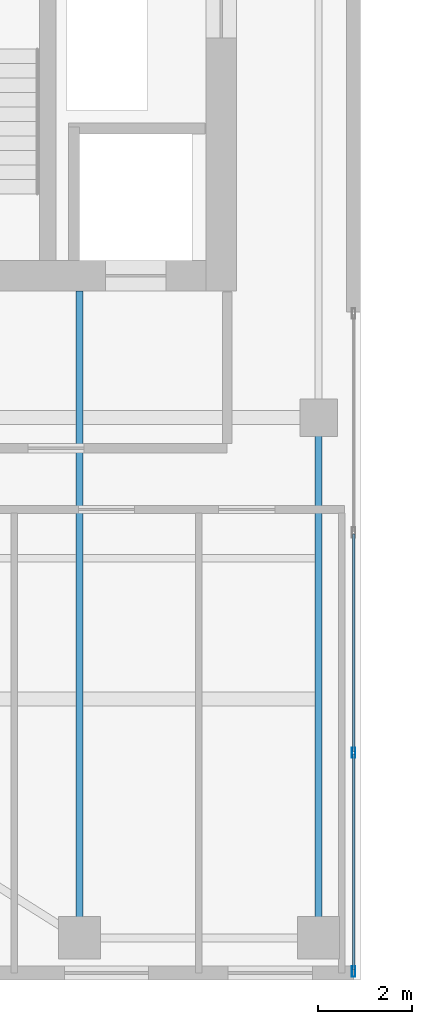
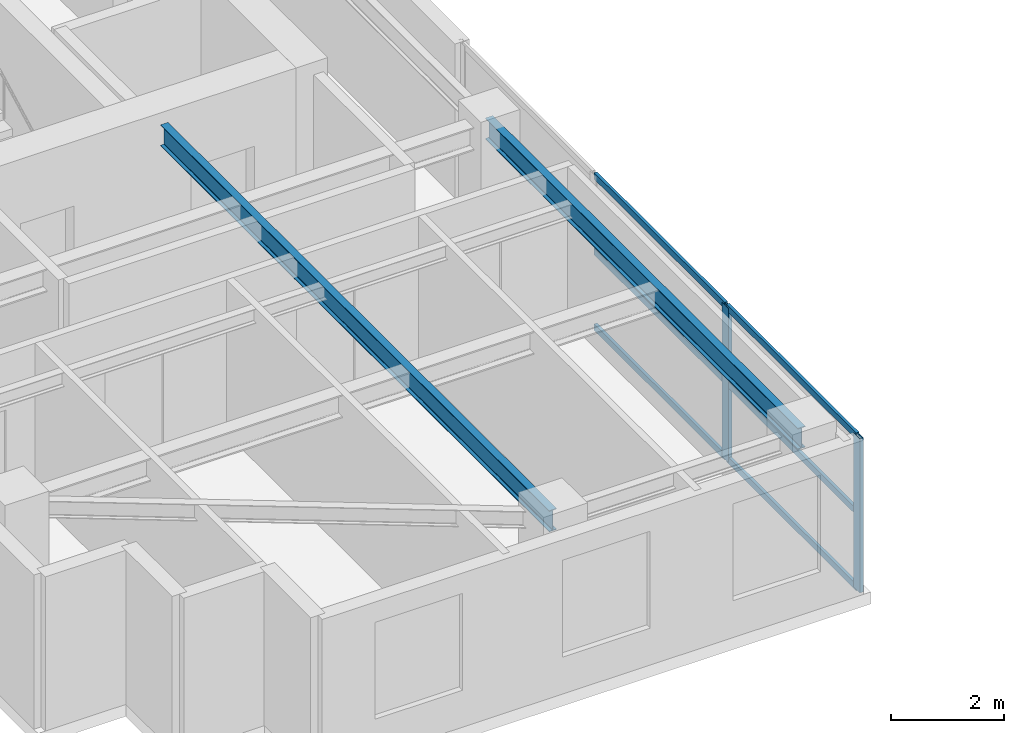
# One storey, part 2 of 20: 8 members, 2 beams, 1 element without a shape of its own.
"""IFC4 building model written with IfcOpenShell, lengths in metres."""

import ifcopenshell
import ifcopenshell.guid

model = None  # the IFC model being written
_history = None  # IfcOwnerHistory: only IFC2X3 demands one
_inside = {}  # id of a spatial element -> (the spatial element, [elements in it])
_under = {}  # id of a project, library or spatial element -> (it, [spatial elements below it])
_declared = {}  # id of a project -> (the project, [libraries it declares])
_typed = {}  # id of a type object -> (the type object, [elements of that type])
_made_of = {}  # id of a material, layer set ... -> (it, [elements and type objects made of it])


def new_model(schema):
    """Start an empty IFC model of exactly this schema.

    Asked for "IFC4X3", IfcOpenShell would pick the latest addendum, in which some entities
    have other attributes; the version numbers below select the first issue.
    IFC2X3 requires an IfcOwnerHistory on every rooted entity: one is made here for all.
    """
    global model, _history
    if schema == "IFC4X3":
        model = ifcopenshell.file(schema_version=(4, 3, 0, 0))
    else:
        model = ifcopenshell.file(schema=schema)
    _inside.clear()
    _under.clear()
    _declared.clear()
    _typed.clear()
    _made_of.clear()
    _history = None
    if model.schema == "IFC2X3":
        org = make("IfcOrganization", Name="unknown")
        user = make(
            "IfcPersonAndOrganization",
            ThePerson=make("IfcPerson", FamilyName="unknown"),
            TheOrganization=org,
        )
        app = make(
            "IfcApplication",
            ApplicationDeveloper=org,
            Version="unknown",
            ApplicationFullName="unknown",
            ApplicationIdentifier="unknown",
        )
        _history = make(
            "IfcOwnerHistory",
            OwningUser=user,
            OwningApplication=app,
            ChangeAction="ADDED",
            CreationDate=0,
        )
    return model


def make(cls, **values):
    """One entity of the class cls with the attributes given. An attribute that is None is left unset."""
    return model.create_entity(
        cls, **{name: value for name, value in values.items() if value is not None}
    )


def rooted(cls, **values):
    """An entity with a GlobalId (a new one), such as an element, a storey or a relation."""
    return make(cls, GlobalId=ifcopenshell.guid.new(), OwnerHistory=_history, **values)


def si_unit(unit_type, name, prefix=None):
    """IfcSIUnit, for example si_unit("LENGTHUNIT", "METRE", prefix="MILLI")."""
    return make("IfcSIUnit", UnitType=unit_type, Prefix=prefix, Name=name)


def assignment(units):
    """IfcUnitAssignment: the units of a project."""
    return None if units is None else make("IfcUnitAssignment", Units=units)


def point(xyz):
    """IfcCartesianPoint."""
    return None if xyz is None else make("IfcCartesianPoint", Coordinates=xyz)


def direction(xyz):
    """IfcDirection."""
    return None if xyz is None else make("IfcDirection", DirectionRatios=xyz)


def frame(location, z_axis=None, x_axis=None):
    """IfcAxis2Placement3D, a coordinate frame: its origin and axes. An axis left out is left unset."""
    return make(
        "IfcAxis2Placement3D",
        Location=point(location),
        Axis=direction(z_axis),
        RefDirection=direction(x_axis),
    )


def frame_2d(location, x_axis=None):
    """IfcAxis2Placement2D, a coordinate frame in the plane: its origin and x axis."""
    return make(
        "IfcAxis2Placement2D", Location=point(location), RefDirection=direction(x_axis)
    )


def origin():
    """The frame at (0, 0, 0) with its axes left unset."""
    return frame((0.0, 0.0, 0.0))


def origin_2d():
    """The frame at (0, 0) in the plane with its x axis left unset."""
    return frame_2d((0.0, 0.0))


def place(relative_to, where):
    """IfcLocalPlacement: puts the frame where relative to a parent placement (None: the world)."""
    return make(
        "IfcLocalPlacement", PlacementRelTo=relative_to, RelativePlacement=where
    )


def context(
    kind, dimensions, precision=None, world=None, true_north=None, identifier=None
):
    """IfcGeometricRepresentationContext, for example the 3D "Model" context."""
    return make(
        "IfcGeometricRepresentationContext",
        ContextIdentifier=identifier,
        ContextType=kind,
        CoordinateSpaceDimension=dimensions,
        Precision=precision,
        WorldCoordinateSystem=world,
        TrueNorth=true_north,
    )


def subcontext(parent, identifier, kind, view, scale=None):
    """IfcGeometricRepresentationSubContext, for example "Body" below "Model"."""
    return make(
        "IfcGeometricRepresentationSubContext",
        ContextIdentifier=identifier,
        ContextType=kind,
        ParentContext=parent,
        TargetScale=scale,
        TargetView=view,
    )


def project(units=None, contexts=None):
    """IfcProject with its units and contexts."""
    return rooted(
        "IfcProject",
        Name="project",
        RepresentationContexts=contexts,
        UnitsInContext=assignment(units),
    )


def spatial(cls, under=None, at=None, **own):
    """A site, building, storey or space (cls), placed at a placement, below another one or the project."""
    s = rooted(cls, ObjectPlacement=at, **own)
    if under is not None:
        _under.setdefault(under.id(), (under, []))[1].append(s)
    return s


def profile(cls, at=None, kind="AREA", **sizes):
    """A parametric profile (cls). Its sizes go by their IFC names, for example OverallWidth=200.0."""
    return make(cls, ProfileType=kind, Position=at, **sizes)


def hollow_rectangle(**sizes):
    """IfcRectangleHollowProfileDef."""
    return profile("IfcRectangleHollowProfileDef", **sizes)


def i_section(**sizes):
    """IfcIShapeProfileDef."""
    return profile("IfcIShapeProfileDef", **sizes)


def extrude(swept, where, along, depth):
    """IfcExtrudedAreaSolid: the profile swept, set in the frame where, extruded along a direction by depth."""
    return make(
        "IfcExtrudedAreaSolid",
        SweptArea=swept,
        Position=where,
        ExtrudedDirection=direction(along),
        Depth=depth,
    )


def shape(context_of_items, identifier, shape_type, items):
    """IfcShapeRepresentation: the items that make up one representation, for example the "Body"."""
    return make(
        "IfcShapeRepresentation",
        ContextOfItems=context_of_items,
        RepresentationIdentifier=identifier,
        RepresentationType=shape_type,
        Items=items,
    )


def source(mapping_origin, context_of_items, identifier, shape_type, items):
    """IfcRepresentationMap: a shape defined once, which mapped items show again and again."""
    return make(
        "IfcRepresentationMap",
        MappingOrigin=mapping_origin,
        MappedRepresentation=shape(context_of_items, identifier, shape_type, items),
    )


def transform(
    local_origin,
    x_axis=None,
    y_axis=None,
    z_axis=None,
    scale=None,
    scale2=None,
    scale3=None,
    uniform=True,
):
    """IfcCartesianTransformationOperator3D, or its non-uniform kind. x_axis, y_axis, z_axis: its Axis1, 2, 3."""
    if uniform:
        return make(
            "IfcCartesianTransformationOperator3D",
            Axis1=direction(x_axis),
            Axis2=direction(y_axis),
            LocalOrigin=point(local_origin),
            Scale=scale,
            Axis3=direction(z_axis),
        )
    return make(
        "IfcCartesianTransformationOperator3DnonUniform",
        Axis1=direction(x_axis),
        Axis2=direction(y_axis),
        LocalOrigin=point(local_origin),
        Scale=scale,
        Axis3=direction(z_axis),
        Scale2=scale2,
        Scale3=scale3,
    )


def mapped(mapping_source, mapping_target):
    """IfcMappedItem: shows the shape of a source again, moved by a transform."""
    return make(
        "IfcMappedItem", MappingSource=mapping_source, MappingTarget=mapping_target
    )


def material(Name=None, Category=None):
    """IfcMaterial."""
    return make("IfcMaterial", Name=Name, Category=Category)


def layer(
    of_material, thickness, ventilated=None, Name=None, Category=None, Priority=None
):
    """IfcMaterialLayer: one layer of a wall or slab, of a material (None: an air gap)."""
    return make(
        "IfcMaterialLayer",
        Material=of_material,
        LayerThickness=thickness,
        IsVentilated=ventilated,
        Name=Name,
        Category=Category,
        Priority=Priority,
    )


def layer_set(layers, Name=None):
    """IfcMaterialLayerSet."""
    return make("IfcMaterialLayerSet", MaterialLayers=layers, LayerSetName=Name)


def material_profile(
    of_material, cross_section, Name=None, Category=None, Priority=None
):
    """IfcMaterialProfile: a cross section and its material."""
    return make(
        "IfcMaterialProfile",
        Name=Name,
        Material=of_material,
        Profile=cross_section,
        Priority=Priority,
        Category=Category,
    )


def profile_set(profiles, Name=None, composite=None):
    """IfcMaterialProfileSet."""
    return make(
        "IfcMaterialProfileSet",
        Name=Name,
        MaterialProfiles=profiles,
        CompositeProfile=composite,
    )


def made_of(thing, what):
    """Note that an element or type object is made of a material, layer set ...; save() writes the relation."""
    if what is not None:
        _made_of.setdefault(what.id(), (what, []))[1].append(thing)
    return thing


def type_object(cls, material=None, **own):
    """A type object (cls), such as IfcWallType, which elements share."""
    return made_of(rooted(cls, **own), material)


def element(
    cls,
    number,
    at=None,
    inside=None,
    cuts=None,
    type_object=None,
    material=None,
    context=None,
    identifier="Body",
    shape_type=None,
    held_by="IfcProductDefinitionShape",
    body=None,
    shapes=None,
    **own,
):
    """One element of the class cls, such as IfcWall. Its Tag is "e" and its number.

    at: its placement. inside: the storey or other place that contains it. cuts: it is an
    opening in that element (IfcRelVoidsElement). A single representation is given by context,
    identifier, shape_type and body (its items); several are given by shapes. held_by: the class
    of the entity that holds the representations. save() writes the other relations.
    """
    e = rooted(cls, Tag="e%d" % number, ObjectPlacement=at, **own)
    if body is not None:
        shapes = [shape(context, identifier, shape_type, body)]
    if shapes is not None:
        e.Representation = make(held_by, Representations=shapes)
    if inside is not None:
        _inside.setdefault(inside.id(), (inside, []))[1].append(e)
    if cuts is not None:
        rooted(
            "IfcRelVoidsElement", RelatingBuildingElement=cuts, RelatedOpeningElement=e
        )
    if type_object is not None:
        _typed.setdefault(type_object.id(), (type_object, []))[1].append(e)
    return made_of(e, material)


def aggregate(whole, parts):
    """IfcRelAggregates: a whole, such as a stair, and the parts it consists of."""
    return rooted("IfcRelAggregates", RelatingObject=whole, RelatedObjects=parts)


def save(model, path):
    """Write the relations noted so far, then the file.

    IfcRelAggregates (storeys below a building ...), IfcRelContainedInSpatialStructure (elements
    in a storey), IfcRelDefinesByType, IfcRelAssociatesMaterial and IfcRelDeclares: one each for
    every whole, place, type object, material and project.
    """
    for whole, parts in _under.values():
        aggregate(whole, parts)
    for where, things in _inside.values():
        rooted(
            "IfcRelContainedInSpatialStructure",
            RelatedElements=things,
            RelatingStructure=where,
        )
    for kind, things in _typed.values():
        rooted("IfcRelDefinesByType", RelatedObjects=things, RelatingType=kind)
    for what, things in _made_of.values():
        rooted("IfcRelAssociatesMaterial", RelatedObjects=things, RelatingMaterial=what)
    for by, libraries in _declared.values():
        rooted("IfcRelDeclares", RelatingContext=by, RelatedDefinitions=libraries)
    model.write(path)


model = new_model("IFC4")

# Units and contexts
model_context = context("Model", 3, precision=1e-05, world=origin(), true_north=direction((0.0, 1.0)))
body_context = subcontext(model_context, "Body", "Model", "MODEL_VIEW")
ifc_project = project(units=[si_unit("LENGTHUNIT", "METRE"), si_unit("AREAUNIT", "SQUARE_METRE"), si_unit("VOLUMEUNIT", "CUBIC_METRE"), si_unit("PLANEANGLEUNIT", "RADIAN"), si_unit("MASSUNIT", "GRAM", prefix="KILO")], contexts=[model_context])

# Site, building, storey
site_placement = place(None, origin())
site = spatial("IfcSite", under=ifc_project, at=site_placement, CompositionType="ELEMENT")
building_placement = place(site_placement, origin())
building = spatial("IfcBuilding", under=site, at=building_placement, Name="Khoralis Quay Care Tower", CompositionType="ELEMENT")
storey_placement = place(building_placement, frame((0.0, 0.0, 198.89990234375)))
storey = spatial("IfcBuildingStorey", under=building, at=storey_placement, Name="L52", CompositionType="ELEMENT", Elevation=198.89990234375)

# Beams
ifc_material_1 = material(Name="Steel S355", Category="steel")
ifc_material_profile_1 = material_profile(ifc_material_1, i_section(OverallWidth=0.154052734375, OverallDepth=0.458984375, WebThickness=0.009033203125, FlangeThickness=0.015380859375, FilletRadius=0.014892578125, at=origin_2d()), Name="Steel S355")
ifc_profile_set_1 = profile_set([ifc_material_profile_1], Name="Steel S355")
beam_type = type_object("IfcBeamType", Name="BM-W460X68", PredefinedType="BEAM", material=ifc_profile_set_1)
shared_shape_1 = source(origin(), body_context, "Body", "SweptSolid", [
    extrude(i_section(OverallWidth=0.154052734375, OverallDepth=0.458984375, WebThickness=0.009033203125, FlangeThickness=0.015380859375, FilletRadius=0.014892578125, at=origin_2d()), origin(), (0.0, 0.0, 1.0), 13.802001953125),
])
beam_1_placement = place(storey_placement, frame((12.0, 0.89990234375, 3.110595703125), z_axis=(0.0, 1.0, 0.0), x_axis=(-1.0, 0.0, 0.0)))
element("IfcBeam", 1, at=beam_1_placement, inside=storey, type_object=beam_type, Name="BM-TGYS-L52-120", PredefinedType="BEAM", context=body_context, shape_type="MappedRepresentation", body=[
    mapped(shared_shape_1, transform((0.0, 0.0, 0.0), scale=1.0)),
])
shared_shape_2 = source(origin(), body_context, "Body", "SweptSolid", [
    extrude(i_section(OverallWidth=0.154052734375, OverallDepth=0.458984375, WebThickness=0.009033203125, FlangeThickness=0.015380859375, FilletRadius=0.014892578125, at=origin_2d()), origin(), (0.0, 0.0, 1.0), 11.10009765625),
])
beam_2_placement = place(storey_placement, frame((17.10009765625, 0.89990234375, 3.110595703125), z_axis=(0.0, 1.0, 0.0), x_axis=(-1.0, 0.0, 0.0)))
element("IfcBeam", 2, at=beam_2_placement, inside=storey, type_object=beam_type, Name="BM-TGYS-L52-171", PredefinedType="BEAM", context=body_context, shape_type="MappedRepresentation", body=[
    mapped(shared_shape_2, transform((0.0, 0.0, 0.0), scale=1.0)),
])

# Curtain wall, members
ifc_material_2 = material(Name="Pale anodised aluminium", Category="aluminium")
ifc_layer = layer(ifc_material_2, 0.18994140625)
ifc_layer_set = layer_set([ifc_layer], Name="Pale anodised aluminium")
curtain_wall_type = type_object("IfcCurtainWallType", Name="CW-SYS-PORTAL", PredefinedType="NOTDEFINED", material=ifc_layer_set)
curtain_wall_placement = place(storey_placement, origin())
curtain_wall = element("IfcCurtainWall", 3, at=curtain_wall_placement, inside=storey, type_object=curtain_wall_type, Name="L52 Unitised Curtain Wall CW-VP-L52-P1-S", PredefinedType="NOTDEFINED")
ifc_material_profile_2 = material_profile(ifc_material_2, hollow_rectangle(XDim=0.074951171875, YDim=0.219970703125, WallThickness=0.00390625, at=origin_2d()), Name="Pale anodised aluminium")
ifc_profile_set_2 = profile_set([ifc_material_profile_2], Name="Pale anodised aluminium")
member_type_1 = type_object("IfcMemberType", Name="CW-MUL-220", PredefinedType="MULLION", material=ifc_profile_set_2)
shared_shape_3 = source(origin(), body_context, "Body", "SweptSolid", [
    extrude(hollow_rectangle(XDim=0.074951171875, YDim=0.219970703125, WallThickness=0.00390625, at=origin_2d()), origin(), (0.0, 0.0, 1.0), 3.340087890625),
])
member_1_placement = place(storey_placement, frame((17.85009765625, 0.179931640625, 0.0), z_axis=(0.0, 0.0, 1.0), x_axis=(-1.0, 0.0, 0.0)))
member_1 = element("IfcMember", 4, at=member_1_placement, type_object=member_type_1, Name="CW4 mullion 1", PredefinedType="MULLION", context=body_context, shape_type="MappedRepresentation", body=[
    mapped(shared_shape_3, transform((0.0, 0.0, 0.0), scale=1.0)),
])
member_2_placement = place(storey_placement, frame((17.85009765625, 4.85009765625, 0.0), z_axis=(0.0, 0.0, 1.0), x_axis=(-1.0, 0.0, 0.0)))
member_2 = element("IfcMember", 5, at=member_2_placement, type_object=member_type_1, Name="CW4 mullion 2", PredefinedType="MULLION", context=body_context, shape_type="MappedRepresentation", body=[
    mapped(shared_shape_3, transform((0.0, 0.0, 0.0), scale=1.0)),
])
ifc_material_profile_3 = material_profile(ifc_material_2, hollow_rectangle(XDim=0.06005859375, YDim=0.139892578125, WallThickness=0.00390625, at=origin_2d()), Name="Pale anodised aluminium")
ifc_profile_set_3 = profile_set([ifc_material_profile_3], Name="Pale anodised aluminium")
member_type_2 = type_object("IfcMemberType", Name="CW-TRN-140", PredefinedType="USERDEFINED", material=ifc_profile_set_3)
shared_shape_4 = source(origin(), body_context, "Body", "SweptSolid", [
    extrude(hollow_rectangle(XDim=0.06005859375, YDim=0.139892578125, WallThickness=0.00390625, at=origin_2d()), origin(), (0.0, 0.0, 1.0), 4.610107421875),
])
member_3_placement = place(storey_placement, frame((17.85009765625, 0.2099609375, 0.030029296875), z_axis=(0.0, 1.0, 0.0), x_axis=(-1.0, 0.0, 0.0)))
member_3 = element("IfcMember", 6, at=member_3_placement, type_object=member_type_2, Name="CW4 transom 1.1", ObjectType="TRANSOM", PredefinedType="USERDEFINED", context=body_context, shape_type="MappedRepresentation", body=[
    mapped(shared_shape_4, transform((0.0, 0.0, 0.0), scale=1.0)),
])
member_4_placement = place(storey_placement, frame((17.85009765625, 0.2099609375, 1.670166015625), z_axis=(0.0, 1.0, 0.0), x_axis=(-1.0, 0.0, 0.0)))
member_4 = element("IfcMember", 7, at=member_4_placement, type_object=member_type_2, Name="CW4 transom 1.2", ObjectType="TRANSOM", PredefinedType="USERDEFINED", context=body_context, shape_type="MappedRepresentation", body=[
    mapped(shared_shape_4, transform((0.0, 0.0, 0.0), scale=1.0)),
])
member_5_placement = place(storey_placement, frame((17.85009765625, 0.2099609375, 3.31005859375), z_axis=(0.0, 1.0, 0.0), x_axis=(-1.0, 0.0, 0.0)))
member_5 = element("IfcMember", 8, at=member_5_placement, type_object=member_type_2, Name="CW4 transom 1.3", ObjectType="TRANSOM", PredefinedType="USERDEFINED", context=body_context, shape_type="MappedRepresentation", body=[
    mapped(shared_shape_4, transform((0.0, 0.0, 0.0), scale=1.0)),
])
shared_shape_5 = source(origin(), body_context, "Body", "SweptSolid", [
    extrude(hollow_rectangle(XDim=0.06005859375, YDim=0.139892578125, WallThickness=0.00390625, at=origin_2d()), origin(), (0.0, 0.0, 1.0), 4.64013671875),
])
member_6_placement = place(storey_placement, frame((17.85009765625, 4.8798828125, 0.030029296875), z_axis=(0.0, 1.0, 0.0), x_axis=(-1.0, 0.0, 0.0)))
member_6 = element("IfcMember", 9, at=member_6_placement, type_object=member_type_2, Name="CW4 transom 2.1", ObjectType="TRANSOM", PredefinedType="USERDEFINED", context=body_context, shape_type="MappedRepresentation", body=[
    mapped(shared_shape_5, transform((0.0, 0.0, 0.0), scale=1.0)),
])
member_7_placement = place(storey_placement, frame((17.85009765625, 4.8798828125, 1.670166015625), z_axis=(0.0, 1.0, 0.0), x_axis=(-1.0, 0.0, 0.0)))
member_7 = element("IfcMember", 10, at=member_7_placement, type_object=member_type_2, Name="CW4 transom 2.2", ObjectType="TRANSOM", PredefinedType="USERDEFINED", context=body_context, shape_type="MappedRepresentation", body=[
    mapped(shared_shape_5, transform((0.0, 0.0, 0.0), scale=1.0)),
])
member_8_placement = place(storey_placement, frame((17.85009765625, 4.8798828125, 3.31005859375), z_axis=(0.0, 1.0, 0.0), x_axis=(-1.0, 0.0, 0.0)))
member_8 = element("IfcMember", 11, at=member_8_placement, type_object=member_type_2, Name="CW4 transom 2.3", ObjectType="TRANSOM", PredefinedType="USERDEFINED", context=body_context, shape_type="MappedRepresentation", body=[
    mapped(shared_shape_5, transform((0.0, 0.0, 0.0), scale=1.0)),
])
aggregate(curtain_wall, [member_1, member_2, member_3, member_4, member_5, member_6, member_7, member_8])

save(model, "model.ifc")
